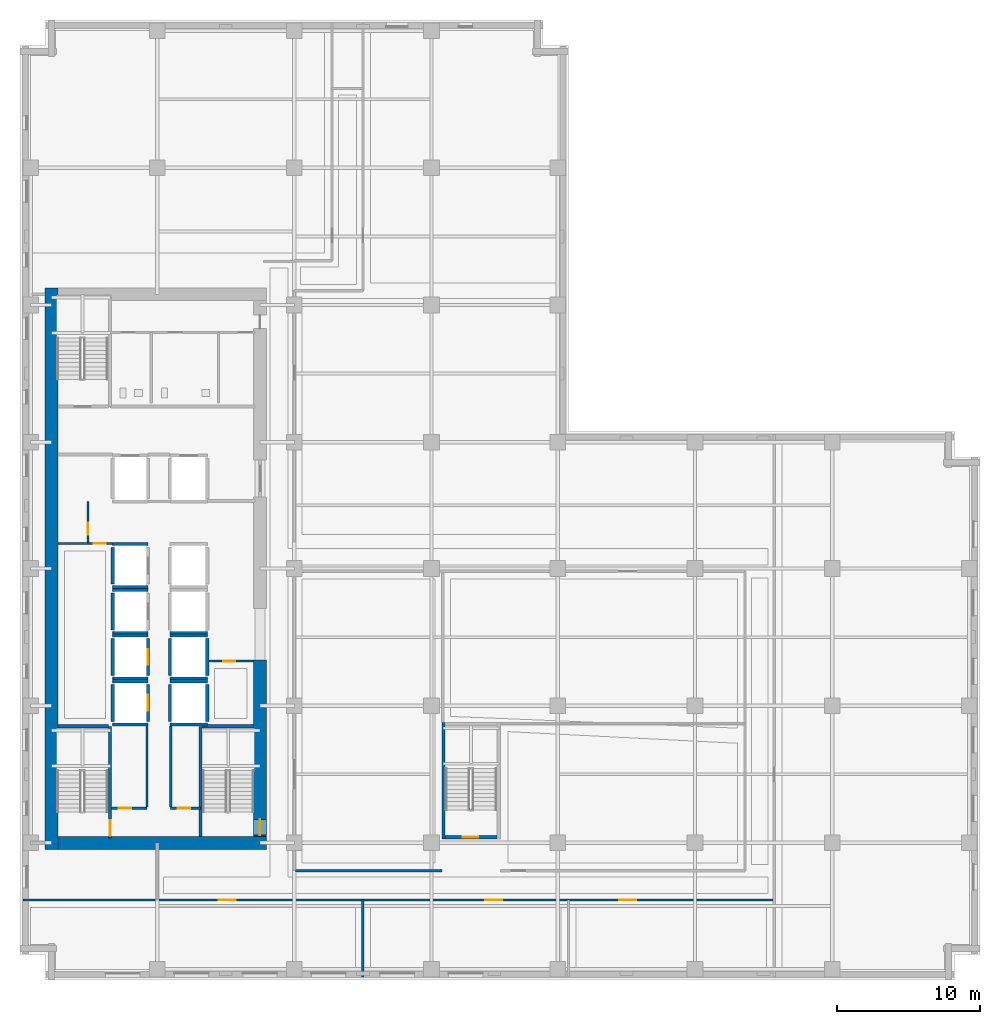
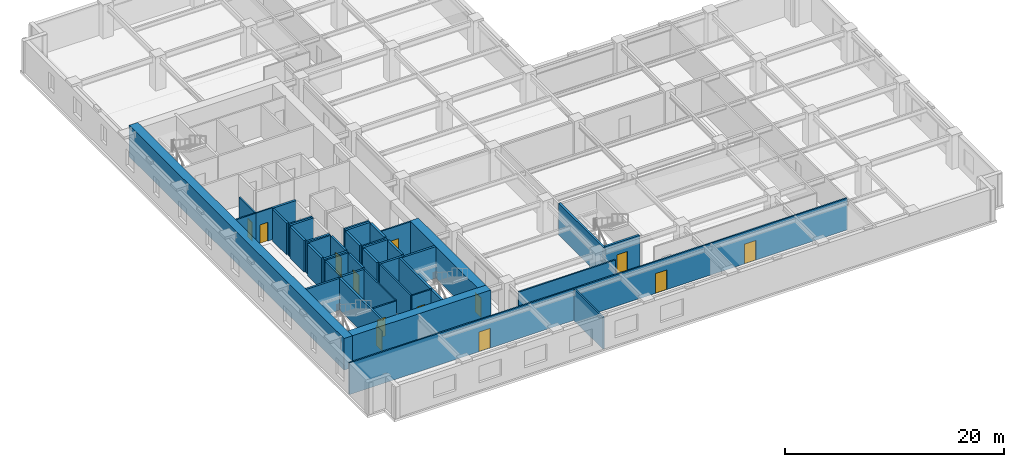
# One storey, part 4 of 13: 43 walls, 13 doors, 13 openings.
"""IFC4 building model written with IfcOpenShell, lengths in metres."""

from ifc_helpers import new_model, si_unit, direction, frame, frame_2d, origin, place, context, subcontext, project, spatial, rectangle, extrude, material, layer, layer_set, type_object, element, fill, save


model = new_model("IFC4")

# Units and contexts
model_context = context("Model", 3, precision=1e-05, world=origin(), true_north=direction((0.0, 1.0)))
body_context = subcontext(model_context, "Body", "Model", "MODEL_VIEW")
ifc_project = project(units=[si_unit("LENGTHUNIT", "METRE"), si_unit("AREAUNIT", "SQUARE_METRE"), si_unit("VOLUMEUNIT", "CUBIC_METRE"), si_unit("PLANEANGLEUNIT", "RADIAN"), si_unit("MASSUNIT", "GRAM", prefix="KILO")], contexts=[model_context])

# Site, building, storey
site_placement = place(None, origin())
site = spatial("IfcSite", under=ifc_project, at=site_placement, CompositionType="ELEMENT")
building_placement = place(site_placement, origin())
building = spatial("IfcBuilding", under=site, at=building_placement, Name="Norrvale University Quadrangle", CompositionType="ELEMENT")
storey_placement = place(building_placement, frame((0.0, 0.0, 66.0)))
storey = spatial("IfcBuildingStorey", under=building, at=storey_placement, Name="L16", CompositionType="ELEMENT", Elevation=66.0)

# Walls
ifc_material_1 = material(Name="Concrete C80/95", Category="concrete")
ifc_layer_1 = layer(ifc_material_1, 0.89990234375, Name="Concrete C80/95")
ifc_layer_set_1 = layer_set([ifc_layer_1], Name="Concrete C80/95")
wall_type_1 = type_object("IfcWallType", Name="Wall Core 900", PredefinedType="SHEAR", material=ifc_layer_set_1)
wall_1_placement = place(storey_placement, frame((2.64990234375, 9.60009765625, 0.0), z_axis=(0.0, 0.0, 1.0), x_axis=(1.0, 0.0, 0.0)))
element("IfcWall", 1, at=wall_1_placement, inside=storey, type_object=wall_type_1, Name="Tower Core Shear Wall L16-S", PredefinedType="SHEAR", context=body_context, shape_type="SweptSolid", body=[
    extrude(rectangle(XDim=14.60009765625, YDim=0.89990234375, at=frame_2d((7.300048828125, 0.0))), origin(), (0.0, 0.0, 1.0), 3.5400390625),
])
wall_2_placement = place(storey_placement, frame((2.199951171875, 9.14990234375, 0.0), z_axis=(0.0, 0.0, 1.0), x_axis=(0.0, 1.0, 0.0)))
element("IfcWall", 2, at=wall_2_placement, inside=storey, type_object=wall_type_1, Name="Tower Core Shear Wall L16-W", PredefinedType="SHEAR", context=body_context, shape_type="SweptSolid", body=[
    extrude(rectangle(XDim=39.300048828125, YDim=0.89990234375, at=frame_2d((19.64990234375, 0.0))), origin(), (0.0, 0.0, 1.0), 3.5400390625),
])

# Wall, opening, door
wall_3_placement = place(storey_placement, frame((16.800048828125, 10.050048828125, 0.0), z_axis=(0.0, 0.0, 1.0), x_axis=(0.0, 1.0, 0.0)))
wall_3 = element("IfcWall", 3, at=wall_3_placement, inside=storey, type_object=wall_type_1, Name="Tower Core Shear Wall L16-E1", PredefinedType="SHEAR", context=body_context, shape_type="SweptSolid", body=[
    extrude(rectangle(XDim=12.349853515625, YDim=0.89990234375, at=frame_2d((6.1748046875, 0.0))), origin(), (0.0, 0.0, 1.0), 3.5400390625),
])
opening_1_placement = place(wall_3_placement, frame((0.090087890625, 0.0, 0.0)))
opening_1 = element("IfcOpeningElement", 4, at=opening_1_placement, cuts=wall_3, Name="Opening D02", PredefinedType="OPENING", context=body_context, shape_type="SweptSolid", body=[
    extrude(rectangle(XDim=1.10009765625, YDim=2.199951171875, at=frame_2d((0.550048828125, 1.10009765625))), frame((0.0, 0.4619140625, 0.0), z_axis=(0.0, -1.0, 0.0), x_axis=(1.0, 0.0, 0.0)), (0.0, 0.0, 1.0), 0.923828125),
])
ifc_material_2 = material(Name="Hollow Steel 350W Fire Door", Category="steel")
door_type_1 = type_object("IfcDoorType", Name="Door Stair Exit 1100x2200", OperationType="NOTDEFINED", PredefinedType="DOOR", material=ifc_material_2)
door_1_placement = place(opening_1_placement, origin())
door_1 = element("IfcDoor", 5, at=door_1_placement, inside=storey, type_object=door_type_1, Name="Door Stair Exit 1100x2200 DR-L16-ST03", OperationType="SINGLE_SWING_LEFT", OverallHeight=2.199951171875, OverallWidth=1.10009765625, PredefinedType="DOOR", context=body_context, shape_type="SweptSolid", body=[
    extrude(rectangle(XDim=1.10009765625, YDim=2.199951171875, at=frame_2d((0.550048828125, 1.10009765625))), frame((0.0, 0.02490234375, 0.0), z_axis=(0.0, -1.0, 0.0), x_axis=(1.0, 0.0, 0.0)), (0.0, 0.0, 1.0), 0.050048828125),
])
fill(opening_1, door_1)

ifc_material_3 = material(Name="Fire-Rated Gypsum Stud Partition")
ifc_layer_2 = layer(ifc_material_3, 0.14990234375, Name="Fire-Rated Gypsum Stud Partition")
ifc_layer_set_2 = layer_set([ifc_layer_2], Name="Fire-Rated Gypsum Stud Partition")
wall_type_2 = type_object("IfcWallType", Name="Wall Gypsum Corridor 150", PredefinedType="PARTITIONING", material=ifc_layer_set_2)
wall_4_placement = place(storey_placement, frame((6.419921875, 12.02001953125, 0.0), z_axis=(0.0, 0.0, 1.0), x_axis=(1.0, 0.0, 0.0)))
wall_4 = element("IfcWall", 6, at=wall_4_placement, inside=storey, type_object=wall_type_2, Name="Interior Partition WL-L16-SC-NL", PredefinedType="PARTITIONING", context=body_context, shape_type="SweptSolid", body=[
    extrude(rectangle(XDim=2.47998046875, YDim=0.14990234375, at=frame_2d((1.239990234375, 0.0))), origin(), (0.0, 0.0, 1.0), 3.5400390625),
])
opening_2_placement = place(wall_4_placement, frame((0.5, 0.0, 0.0)))
opening_2 = element("IfcOpeningElement", 7, at=opening_2_placement, cuts=wall_4, Name="Opening D10", PredefinedType="OPENING", context=body_context, shape_type="SweptSolid", body=[
    extrude(rectangle(XDim=0.85009765625, YDim=2.10009765625, at=frame_2d((0.425048828125, 1.050048828125))), frame((0.0, 0.0869140625, 0.0), z_axis=(0.0, -1.0, 0.0), x_axis=(1.0, 0.0, 0.0)), (0.0, 0.0, 1.0), 0.173828125),
])
ifc_material_4 = material(Name="Hollow Steel 350W Riser Fire Door", Category="steel")
door_type_2 = type_object("IfcDoorType", Name="Door Riser 850x2100", OperationType="NOTDEFINED", PredefinedType="DOOR", material=ifc_material_4)
door_2_placement = place(opening_2_placement, origin())
door_2 = element("IfcDoor", 8, at=door_2_placement, inside=storey, type_object=door_type_2, Name="Door Riser 850x2100 DR-L16-ELEC", OperationType="SINGLE_SWING_LEFT", OverallHeight=2.10009765625, OverallWidth=0.85009765625, PredefinedType="DOOR", context=body_context, shape_type="SweptSolid", body=[
    extrude(rectangle(XDim=0.85009765625, YDim=2.10009765625, at=frame_2d((0.425048828125, 1.050048828125))), frame((0.0, 0.02490234375, 0.0), z_axis=(0.0, -1.0, 0.0), x_axis=(1.0, 0.0, 0.0)), (0.0, 0.0, 1.0), 0.050048828125),
])
fill(opening_2, door_2)

wall_5_placement = place(storey_placement, frame((10.550048828125, 12.02001953125, 0.0), z_axis=(0.0, 0.0, 1.0), x_axis=(1.0, 0.0, 0.0)))
wall_5 = element("IfcWall", 9, at=wall_5_placement, inside=storey, type_object=wall_type_2, Name="Interior Partition WL-L16-SC-NR", PredefinedType="PARTITIONING", context=body_context, shape_type="SweptSolid", body=[
    extrude(rectangle(XDim=2.079833984375, YDim=0.14990234375, at=frame_2d((1.0400390625, 0.0))), origin(), (0.0, 0.0, 1.0), 3.5400390625),
])
opening_3_placement = place(wall_5_placement, frame((0.5, 0.0, 0.0)))
opening_3 = element("IfcOpeningElement", 10, at=opening_3_placement, cuts=wall_5, Name="Opening D10", PredefinedType="OPENING", context=body_context, shape_type="SweptSolid", body=[
    extrude(rectangle(XDim=0.85009765625, YDim=2.10009765625, at=frame_2d((0.425048828125, 1.050048828125))), frame((0.0, 0.0869140625, 0.0), z_axis=(0.0, -1.0, 0.0), x_axis=(1.0, 0.0, 0.0)), (0.0, 0.0, 1.0), 0.173828125),
])
door_3_placement = place(opening_3_placement, origin())
door_3 = element("IfcDoor", 11, at=door_3_placement, inside=storey, type_object=door_type_2, Name="Door Riser 850x2100 DR-L16-IDF", OperationType="SINGLE_SWING_RIGHT", OverallHeight=2.10009765625, OverallWidth=0.85009765625, PredefinedType="DOOR", context=body_context, shape_type="SweptSolid", body=[
    extrude(rectangle(XDim=0.85009765625, YDim=2.10009765625, at=frame_2d((0.425048828125, 1.050048828125))), frame((0.0, 0.02490234375, 0.0), z_axis=(0.0, -1.0, 0.0), x_axis=(1.0, 0.0, 0.0)), (0.0, 0.0, 1.0), 0.050048828125),
])
fill(opening_3, door_3)

# Walls
for number, where, z_axis, x_axis, name in (
    (12, (8.89990234375, 12.094970703125, 0.0), (0.0, 0.0, 1.0), (0.0, 1.0, 0.0), "Interior Partition WL-L16-SC-WL"),
    (13, (10.550048828125, 12.094970703125, 0.0), (0.0, 0.0, 1.0), (0.0, 1.0, 0.0), "Interior Partition WL-L16-SC-WR"),
):
    element("IfcWall", number, at=place(storey_placement, frame(where, z_axis=z_axis, x_axis=x_axis)), inside=storey, type_object=wall_type_2, Name=name, PredefinedType="PARTITIONING", context=body_context, shape_type="SweptSolid", body=[
        extrude(rectangle(XDim=5.679931640625, YDim=0.14990234375, at=frame_2d((2.83984375, 0.0))), origin(), (0.0, 0.0, 1.0), 3.5400390625),
    ])

# Wall, opening, door
wall_6_placement = place(storey_placement, frame((13.22509765625, 22.320068359375, 0.0), z_axis=(0.0, 0.0, 1.0), x_axis=(1.0, 0.0, 0.0)))
wall_6 = element("IfcWall", 14, at=wall_6_placement, inside=storey, type_object=wall_type_2, Name="Interior Partition WL-L16-JAN-N", PredefinedType="PARTITIONING", context=body_context, shape_type="SweptSolid", body=[
    extrude(rectangle(XDim=3.119873046875, YDim=0.14990234375, at=frame_2d((1.56005859375, 0.0))), origin(), (0.0, 0.0, 1.0), 3.5400390625),
])
opening_4_placement = place(wall_6_placement, frame((1.0, 0.0, 0.0)))
opening_4 = element("IfcOpeningElement", 15, at=opening_4_placement, cuts=wall_6, Name="Opening D10", PredefinedType="OPENING", context=body_context, shape_type="SweptSolid", body=[
    extrude(rectangle(XDim=0.85009765625, YDim=2.10009765625, at=frame_2d((0.425048828125, 1.050048828125))), frame((0.0, 0.0869140625, 0.0), z_axis=(0.0, -1.0, 0.0), x_axis=(1.0, 0.0, 0.0)), (0.0, 0.0, 1.0), 0.173828125),
])
door_4_placement = place(opening_4_placement, origin())
door_4 = element("IfcDoor", 16, at=door_4_placement, inside=storey, type_object=door_type_2, Name="Door Riser 850x2100 DR-L16-JAN", OperationType="SINGLE_SWING_LEFT", OverallHeight=2.10009765625, OverallWidth=0.85009765625, PredefinedType="DOOR", context=body_context, shape_type="SweptSolid", body=[
    extrude(rectangle(XDim=0.85009765625, YDim=2.10009765625, at=frame_2d((0.425048828125, 1.050048828125))), frame((0.0, 0.02490234375, 0.0), z_axis=(0.0, -1.0, 0.0), x_axis=(1.0, 0.0, 0.0)), (0.0, 0.0, 1.0), 0.050048828125),
])
fill(opening_4, door_4)

wall_7_placement = place(storey_placement, frame((4.760009765625, 30.550048828125, 0.0), z_axis=(0.0, 0.0, 1.0), x_axis=(0.0, 1.0, 0.0)))
wall_7 = element("IfcWall", 17, at=wall_7_placement, inside=storey, type_object=wall_type_2, Name="Interior Partition WL-L16-WME-E", PredefinedType="PARTITIONING", context=body_context, shape_type="SweptSolid", body=[
    extrude(rectangle(XDim=2.929931640625, YDim=0.14990234375, at=frame_2d((1.46484375, 0.0))), origin(), (0.0, 0.0, 1.0), 3.5400390625),
])
opening_5_placement = place(wall_7_placement, frame((0.60009765625, 0.0, 0.0)))
opening_5 = element("IfcOpeningElement", 18, at=opening_5_placement, cuts=wall_7, Name="Opening D10", PredefinedType="OPENING", context=body_context, shape_type="SweptSolid", body=[
    extrude(rectangle(XDim=0.85009765625, YDim=2.10009765625, at=frame_2d((0.425048828125, 1.050048828125))), frame((0.0, 0.0869140625, 0.0), z_axis=(0.0, -1.0, 0.0), x_axis=(1.0, 0.0, 0.0)), (0.0, 0.0, 1.0), 0.173828125),
])
door_5_placement = place(opening_5_placement, origin())
door_5 = element("IfcDoor", 19, at=door_5_placement, inside=storey, type_object=door_type_2, Name="Door Riser 850x2100 DR-L16-WME", OperationType="SINGLE_SWING_LEFT", OverallHeight=2.10009765625, OverallWidth=0.85009765625, PredefinedType="DOOR", context=body_context, shape_type="SweptSolid", body=[
    extrude(rectangle(XDim=0.85009765625, YDim=2.10009765625, at=frame_2d((0.425048828125, 1.050048828125))), frame((0.0, 0.02490234375, 0.0), z_axis=(0.0, -1.0, 0.0), x_axis=(1.0, 0.0, 0.0)), (0.0, 0.0, 1.0), 0.050048828125),
])
fill(opening_5, door_5)

wall_8_placement = place(storey_placement, frame((4.760009765625, 30.550048828125, 0.0), z_axis=(0.0, 0.0, 1.0), x_axis=(1.0, 0.0, 0.0)))
wall_8 = element("IfcWall", 20, at=wall_8_placement, inside=storey, type_object=wall_type_2, Name="Interior Partition WL-L16-WST-N", PredefinedType="PARTITIONING", context=body_context, shape_type="SweptSolid", body=[
    extrude(rectangle(XDim=1.760009765625, YDim=0.14990234375, at=frame_2d((0.8798828125, 0.0))), origin(), (0.0, 0.0, 1.0), 3.5400390625),
])
opening_6_placement = place(wall_8_placement, frame((0.39990234375, 0.0, 0.0)))
opening_6 = element("IfcOpeningElement", 21, at=opening_6_placement, cuts=wall_8, Name="Opening D10", PredefinedType="OPENING", context=body_context, shape_type="SweptSolid", body=[
    extrude(rectangle(XDim=0.85009765625, YDim=2.10009765625, at=frame_2d((0.425048828125, 1.050048828125))), frame((0.0, 0.0869140625, 0.0), z_axis=(0.0, -1.0, 0.0), x_axis=(1.0, 0.0, 0.0)), (0.0, 0.0, 1.0), 0.173828125),
])
door_6_placement = place(opening_6_placement, origin())
door_6 = element("IfcDoor", 22, at=door_6_placement, inside=storey, type_object=door_type_2, Name="Door Riser 850x2100 DR-L16-WST", OperationType="SINGLE_SWING_RIGHT", OverallHeight=2.10009765625, OverallWidth=0.85009765625, PredefinedType="DOOR", context=body_context, shape_type="SweptSolid", body=[
    extrude(rectangle(XDim=0.85009765625, YDim=2.10009765625, at=frame_2d((0.425048828125, 1.050048828125))), frame((0.0, 0.02490234375, 0.0), z_axis=(0.0, -1.0, 0.0), x_axis=(1.0, 0.0, 0.0)), (0.0, 0.0, 1.0), 0.050048828125),
])
fill(opening_6, door_6)

# Wall
wall_9_placement = place(storey_placement, frame((2.64990234375, 30.550048828125, 0.0), z_axis=(0.0, 0.0, 1.0), x_axis=(1.0, 0.0, 0.0)))
element("IfcWall", 23, at=wall_9_placement, inside=storey, type_object=wall_type_2, Name="Interior Partition WL-L16-WST-N2", PredefinedType="PARTITIONING", context=body_context, shape_type="SweptSolid", body=[
    extrude(rectangle(XDim=2.110107421875, YDim=0.14990234375, at=frame_2d((1.05517578125, 0.0))), origin(), (0.0, 0.0, 1.0), 3.5400390625),
])

# Wall, openings, doors
wall_10_placement = place(storey_placement, frame((0.219970703125, 5.60009765625, 0.0), z_axis=(0.0, 0.0, 1.0), x_axis=(1.0, 0.0, 0.0)))
wall_10 = element("IfcWall", 24, at=wall_10_placement, inside=storey, type_object=wall_type_2, Name="Interior Partition WL-L16-SCW", PredefinedType="PARTITIONING", context=body_context, shape_type="SweptSolid", body=[
    extrude(rectangle(XDim=52.580078125, YDim=0.14990234375, at=frame_2d((26.2900390625, 0.0))), origin(), (0.0, 0.0, 1.0), 3.5400390625),
])
opening_7_placement = place(wall_10_placement, frame((13.679931640625, 0.0, 0.0)))
opening_7 = element("IfcOpeningElement", 25, at=opening_7_placement, cuts=wall_10, Name="Opening D05", PredefinedType="OPENING", context=body_context, shape_type="SweptSolid", body=[
    extrude(rectangle(XDim=1.199951171875, YDim=2.199951171875, at=frame_2d((0.60009765625, 1.10009765625))), frame((0.0, 0.0869140625, 0.0), z_axis=(0.0, -1.0, 0.0), x_axis=(1.0, 0.0, 0.0)), (0.0, 0.0, 1.0), 0.173828125),
])
opening_8_placement = place(wall_10_placement, frame((32.330078125, 0.0, 0.0)))
opening_8 = element("IfcOpeningElement", 26, at=opening_8_placement, cuts=wall_10, Name="Opening D05", PredefinedType="OPENING", context=body_context, shape_type="SweptSolid", body=[
    extrude(rectangle(XDim=1.199951171875, YDim=2.199951171875, at=frame_2d((0.60009765625, 1.10009765625))), frame((0.0, 0.0869140625, 0.0), z_axis=(0.0, -1.0, 0.0), x_axis=(1.0, 0.0, 0.0)), (0.0, 0.0, 1.0), 0.173828125),
])
opening_9_placement = place(wall_10_placement, frame((41.72998046875, 0.0, 0.0)))
opening_9 = element("IfcOpeningElement", 27, at=opening_9_placement, cuts=wall_10, Name="Opening D05", PredefinedType="OPENING", context=body_context, shape_type="SweptSolid", body=[
    extrude(rectangle(XDim=1.199951171875, YDim=2.199951171875, at=frame_2d((0.60009765625, 1.10009765625))), frame((0.0, 0.0869140625, 0.0), z_axis=(0.0, -1.0, 0.0), x_axis=(1.0, 0.0, 0.0)), (0.0, 0.0, 1.0), 0.173828125),
])
ifc_material_5 = material(Name="Acoustic Oak Classroom Door", Category="wood")
door_type_3 = type_object("IfcDoorType", Name="Door Classroom 1200x2200", OperationType="NOTDEFINED", PredefinedType="DOOR", material=ifc_material_5)
door_7_placement = place(opening_7_placement, origin())
door_7 = element("IfcDoor", 28, at=door_7_placement, inside=storey, type_object=door_type_3, Name="Door Classroom 1200x2200 DR-L16-S01", OperationType="SINGLE_SWING_LEFT", OverallHeight=2.199951171875, OverallWidth=1.199951171875, PredefinedType="DOOR", context=body_context, shape_type="SweptSolid", body=[
    extrude(rectangle(XDim=1.199951171875, YDim=2.199951171875, at=frame_2d((0.60009765625, 1.10009765625))), frame((0.0, 0.02490234375, 0.0), z_axis=(0.0, -1.0, 0.0), x_axis=(1.0, 0.0, 0.0)), (0.0, 0.0, 1.0), 0.050048828125),
])
fill(opening_7, door_7)
door_8_placement = place(opening_8_placement, origin())
door_8 = element("IfcDoor", 29, at=door_8_placement, inside=storey, type_object=door_type_3, Name="Door Classroom 1200x2200 DR-L16-S02", OperationType="SINGLE_SWING_RIGHT", OverallHeight=2.199951171875, OverallWidth=1.199951171875, PredefinedType="DOOR", context=body_context, shape_type="SweptSolid", body=[
    extrude(rectangle(XDim=1.199951171875, YDim=2.199951171875, at=frame_2d((0.60009765625, 1.10009765625))), frame((0.0, 0.02490234375, 0.0), z_axis=(0.0, -1.0, 0.0), x_axis=(1.0, 0.0, 0.0)), (0.0, 0.0, 1.0), 0.050048828125),
])
fill(opening_8, door_8)
door_9_placement = place(opening_9_placement, origin())
door_9 = element("IfcDoor", 30, at=door_9_placement, inside=storey, type_object=door_type_3, Name="Door Classroom 1200x2200 DR-L16-S03", OperationType="SINGLE_SWING_LEFT", OverallHeight=2.199951171875, OverallWidth=1.199951171875, PredefinedType="DOOR", context=body_context, shape_type="SweptSolid", body=[
    extrude(rectangle(XDim=1.199951171875, YDim=2.199951171875, at=frame_2d((0.60009765625, 1.10009765625))), frame((0.0, 0.02490234375, 0.0), z_axis=(0.0, -1.0, 0.0), x_axis=(1.0, 0.0, 0.0)), (0.0, 0.0, 1.0), 0.050048828125),
])
fill(opening_9, door_9)

# Walls
wall_11_placement = place(storey_placement, frame((19.280029296875, 7.64990234375, 0.0), z_axis=(0.0, 0.0, 1.0), x_axis=(1.0, 0.0, 0.0)))
element("IfcWall", 31, at=wall_11_placement, inside=storey, type_object=wall_type_2, Name="Interior Partition WL-L16-ISLS1", PredefinedType="PARTITIONING", context=body_context, shape_type="SweptSolid", body=[
    extrude(rectangle(XDim=10.244873046875, YDim=0.14990234375, at=frame_2d((5.12255859375, 0.0))), origin(), (0.0, 0.0, 1.0), 3.5400390625),
])
ifc_material_6 = material(Name="Sanitary Chase Gypsum Partition")
ifc_layer_3 = layer(ifc_material_6, 0.1650390625, Name="Sanitary Chase Gypsum Partition")
ifc_layer_set_3 = layer_set([ifc_layer_3], Name="Sanitary Chase Gypsum Partition")
wall_type_3 = type_object("IfcWallType", Name="Wall Gypsum Sanitary 165", PredefinedType="PLUMBINGWALL", material=ifc_layer_set_3)
wall_12_placement = place(storey_placement, frame((24.0, 0.219970703125, 0.0), z_axis=(0.0, 0.0, 1.0), x_axis=(0.0, 1.0, 0.0)))
element("IfcWall", 32, at=wall_12_placement, inside=storey, type_object=wall_type_3, Name="Interior Partition WL-L16-SP01", PredefinedType="PLUMBINGWALL", context=body_context, shape_type="SweptSolid", body=[
    extrude(rectangle(XDim=5.380126953125, YDim=0.1650390625, at=frame_2d((2.68994140625, 0.0))), origin(), (0.0, 0.0, 1.0), 3.5400390625),
])

# Wall, opening, door
ifc_material_7 = material(Name="Concrete Blockwork 20 MPa Fire Shaft", Category="masonry")
ifc_layer_4 = layer(ifc_material_7, 0.219970703125, Name="Concrete Blockwork 20 MPa Fire Shaft")
ifc_layer_set_4 = layer_set([ifc_layer_4], Name="Concrete Blockwork 20 MPa Fire Shaft")
wall_type_4 = type_object("IfcWallType", Name="Wall Shaft 220", PredefinedType="SOLIDWALL", material=ifc_layer_set_4)
wall_13_placement = place(storey_placement, frame((6.31005859375, 9.949951171875, 0.0), z_axis=(0.0, 0.0, 1.0), x_axis=(0.0, 1.0, 0.0)))
wall_13 = element("IfcWall", 33, at=wall_13_placement, inside=storey, type_object=wall_type_4, Name="Stair ST-01 East Shaft Wall L16", PredefinedType="SOLIDWALL", context=body_context, shape_type="SweptSolid", body=[
    extrude(rectangle(XDim=7.81005859375, YDim=0.219970703125, at=frame_2d((3.905029296875, 0.0))), origin(), (0.0, 0.0, 1.0), 3.5400390625),
])
opening_10_placement = place(wall_13_placement, frame((0.139892578125, 0.0, 0.0)))
opening_10 = element("IfcOpeningElement", 34, at=opening_10_placement, cuts=wall_13, Name="Opening D02", PredefinedType="OPENING", context=body_context, shape_type="SweptSolid", body=[
    extrude(rectangle(XDim=1.10009765625, YDim=2.199951171875, at=frame_2d((0.550048828125, 1.10009765625))), frame((0.0, 0.1220703125, 0.0), z_axis=(0.0, -1.0, 0.0), x_axis=(1.0, 0.0, 0.0)), (0.0, 0.0, 1.0), 0.243896484375),
])
door_10_placement = place(opening_10_placement, origin())
door_10 = element("IfcDoor", 35, at=door_10_placement, inside=storey, type_object=door_type_1, Name="Door Stair Exit 1100x2200 DR-L16-ST01", OperationType="SINGLE_SWING_LEFT", OverallHeight=2.199951171875, OverallWidth=1.10009765625, PredefinedType="DOOR", context=body_context, shape_type="SweptSolid", body=[
    extrude(rectangle(XDim=1.10009765625, YDim=2.199951171875, at=frame_2d((0.550048828125, 1.10009765625))), frame((0.0, 0.02490234375, 0.0), z_axis=(0.0, -1.0, 0.0), x_axis=(1.0, 0.0, 0.0)), (0.0, 0.0, 1.0), 0.050048828125),
])
fill(opening_10, door_10)

# Walls
wall_14_placement = place(storey_placement, frame((2.64990234375, 17.760009765625, 0.0), z_axis=(0.0, 0.0, 1.0), x_axis=(1.0, 0.0, 0.0)))
element("IfcWall", 36, at=wall_14_placement, inside=storey, type_object=wall_type_4, Name="Stair ST-01 North Shaft Wall L16", PredefinedType="SOLIDWALL", context=body_context, shape_type="SweptSolid", body=[
    extrude(rectangle(XDim=3.550048828125, YDim=0.219970703125, at=frame_2d((1.77490234375, 0.0))), origin(), (0.0, 0.0, 1.0), 3.5400390625),
])
wall_15_placement = place(storey_placement, frame((12.639892578125, 10.050048828125, 0.0), z_axis=(0.0, 0.0, 1.0), x_axis=(0.0, 1.0, 0.0)))
element("IfcWall", 37, at=wall_15_placement, inside=storey, type_object=wall_type_4, Name="Stair ST-03 West Shaft Wall L16", PredefinedType="SOLIDWALL", context=body_context, shape_type="SweptSolid", body=[
    extrude(rectangle(XDim=7.7099609375, YDim=0.219970703125, at=frame_2d((3.85498046875, 0.0))), origin(), (0.0, 0.0, 1.0), 3.5400390625),
])
wall_16_placement = place(storey_placement, frame((12.75, 17.760009765625, 0.0), z_axis=(0.0, 0.0, 1.0), x_axis=(1.0, 0.0, 0.0)))
element("IfcWall", 38, at=wall_16_placement, inside=storey, type_object=wall_type_4, Name="Stair ST-03 North Shaft Wall L16", PredefinedType="SOLIDWALL", context=body_context, shape_type="SweptSolid", body=[
    extrude(rectangle(XDim=3.60009765625, YDim=0.219970703125, at=frame_2d((1.800048828125, 0.0))), origin(), (0.0, 0.0, 1.0), 3.5400390625),
])

# Wall, opening, door
wall_17_placement = place(storey_placement, frame((29.75, 9.989990234375, 0.0), z_axis=(0.0, 0.0, 1.0), x_axis=(1.0, 0.0, 0.0)))
wall_17 = element("IfcWall", 39, at=wall_17_placement, inside=storey, type_object=wall_type_4, Name="Stair ST-04 South Shaft Wall L16", PredefinedType="SOLIDWALL", context=body_context, shape_type="SweptSolid", body=[
    extrude(rectangle(XDim=3.64990234375, YDim=0.219970703125, at=frame_2d((1.824951171875, 0.0))), origin(), (0.0, 0.0, 1.0), 3.5400390625),
])
opening_11_placement = place(wall_17_placement, frame((1.239990234375, 0.0, 0.0)))
opening_11 = element("IfcOpeningElement", 40, at=opening_11_placement, cuts=wall_17, Name="Opening D02", PredefinedType="OPENING", context=body_context, shape_type="SweptSolid", body=[
    extrude(rectangle(XDim=1.10009765625, YDim=2.199951171875, at=frame_2d((0.550048828125, 1.10009765625))), frame((0.0, 0.1220703125, 0.0), z_axis=(0.0, -1.0, 0.0), x_axis=(1.0, 0.0, 0.0)), (0.0, 0.0, 1.0), 0.243896484375),
])
door_11_placement = place(opening_11_placement, origin())
door_11 = element("IfcDoor", 41, at=door_11_placement, inside=storey, type_object=door_type_1, Name="Door Stair Exit 1100x2200 DR-L16-ST04", OperationType="SINGLE_SWING_LEFT", OverallHeight=2.199951171875, OverallWidth=1.10009765625, PredefinedType="DOOR", context=body_context, shape_type="SweptSolid", body=[
    extrude(rectangle(XDim=1.10009765625, YDim=2.199951171875, at=frame_2d((0.550048828125, 1.10009765625))), frame((0.0, 0.02490234375, 0.0), z_axis=(0.0, -1.0, 0.0), x_axis=(1.0, 0.0, 0.0)), (0.0, 0.0, 1.0), 0.050048828125),
])
fill(opening_11, door_11)

# Walls
wall_18_placement = place(storey_placement, frame((29.639892578125, 9.8798828125, 0.0), z_axis=(0.0, 0.0, 1.0), x_axis=(0.0, 1.0, 0.0)))
element("IfcWall", 42, at=wall_18_placement, inside=storey, type_object=wall_type_4, Name="Stair ST-04 West Shaft Wall L16", PredefinedType="SOLIDWALL", context=body_context, shape_type="SweptSolid", body=[
    extrude(rectangle(XDim=8.14013671875, YDim=0.219970703125, at=frame_2d((4.070068359375, 0.0))), origin(), (0.0, 0.0, 1.0), 3.5400390625),
])
wall_19_placement = place(storey_placement, frame((6.489990234375, 18.110107421875, 0.0), z_axis=(0.0, 0.0, 1.0), x_axis=(0.0, 1.0, 0.0)))
element("IfcWall", 43, at=wall_19_placement, inside=storey, type_object=wall_type_4, Name="Hoistway PL-01 West Wall L16", PredefinedType="SOLIDWALL", context=body_context, shape_type="SweptSolid", body=[
    extrude(rectangle(XDim=2.579833984375, YDim=0.219970703125, at=frame_2d((1.2900390625, 0.0))), origin(), (0.0, 0.0, 1.0), 3.5400390625),
])

# Wall, opening, door
wall_20_placement = place(storey_placement, frame((8.9599609375, 18.110107421875, 0.0), z_axis=(0.0, 0.0, 1.0), x_axis=(0.0, 1.0, 0.0)))
wall_20 = element("IfcWall", 44, at=wall_20_placement, inside=storey, type_object=wall_type_4, Name="Hoistway PL-01 East Wall L16", PredefinedType="SOLIDWALL", context=body_context, shape_type="SweptSolid", body=[
    extrude(rectangle(XDim=2.579833984375, YDim=0.219970703125, at=frame_2d((1.2900390625, 0.0))), origin(), (0.0, 0.0, 1.0), 3.5400390625),
])
opening_12_placement = place(wall_20_placement, frame((0.739990234375, 0.0, 0.0)))
opening_12 = element("IfcOpeningElement", 45, at=opening_12_placement, cuts=wall_20, Name="Opening LD1", PredefinedType="OPENING", context=body_context, shape_type="SweptSolid", body=[
    extrude(rectangle(XDim=1.10009765625, YDim=2.199951171875, at=frame_2d((0.550048828125, 1.10009765625))), frame((0.0, 0.1220703125, 0.0), z_axis=(0.0, -1.0, 0.0), x_axis=(1.0, 0.0, 0.0)), (0.0, 0.0, 1.0), 0.243896484375),
])
ifc_material_8 = material(Name="Stainless Steel 316L Lift Landing Door", Category="steel")
door_type_4 = type_object("IfcDoorType", Name="Door Lift Landing 1100x2200", OperationType="DOUBLE_DOOR_SLIDING", PredefinedType="DOOR", material=ifc_material_8)
door_12_placement = place(opening_12_placement, origin())
door_12 = element("IfcDoor", 46, at=door_12_placement, inside=storey, type_object=door_type_4, Name="Elevator Landing Door DR-L16-PL-01", OperationType="DOUBLE_DOOR_SLIDING", OverallHeight=2.199951171875, OverallWidth=1.10009765625, PredefinedType="DOOR", context=body_context, shape_type="SweptSolid", body=[
    extrude(rectangle(XDim=1.10009765625, YDim=2.199951171875, at=frame_2d((0.550048828125, 1.10009765625))), frame((0.0, 0.02490234375, 0.0), z_axis=(0.0, -1.0, 0.0), x_axis=(1.0, 0.0, 0.0)), (0.0, 0.0, 1.0), 0.050048828125),
])
fill(opening_12, door_12)

# Walls
for number, where, z_axis, x_axis, name in (
    (47, (6.489990234375, 17.889892578125, 0.0), (0.0, 0.0, 1.0), (1.0, 0.0, 0.0), "Hoistway PL-01 South Wall L16"),
    (48, (6.489990234375, 20.909912109375, 0.0), (0.0, 0.0, 1.0), (1.0, 0.0, 0.0), "Hoistway PL-01 North Wall L16"),
):
    element("IfcWall", number, at=place(storey_placement, frame(where, z_axis=z_axis, x_axis=x_axis)), inside=storey, type_object=wall_type_4, Name=name, PredefinedType="SOLIDWALL", context=body_context, shape_type="SweptSolid", body=[
        extrude(rectangle(XDim=2.469970703125, YDim=0.219970703125, at=frame_2d((1.23486328125, 0.0))), origin(), (0.0, 0.0, 1.0), 3.5400390625),
    ])
wall_21_placement = place(storey_placement, frame((6.489990234375, 21.31005859375, 0.0), z_axis=(0.0, 0.0, 1.0), x_axis=(0.0, 1.0, 0.0)))
element("IfcWall", 49, at=wall_21_placement, inside=storey, type_object=wall_type_4, Name="Hoistway PL-02 West Wall L16", PredefinedType="SOLIDWALL", context=body_context, shape_type="SweptSolid", body=[
    extrude(rectangle(XDim=2.579833984375, YDim=0.219970703125, at=frame_2d((1.2900390625, 0.0))), origin(), (0.0, 0.0, 1.0), 3.5400390625),
])

# Wall, opening, door
wall_22_placement = place(storey_placement, frame((8.9599609375, 21.31005859375, 0.0), z_axis=(0.0, 0.0, 1.0), x_axis=(0.0, 1.0, 0.0)))
wall_22 = element("IfcWall", 50, at=wall_22_placement, inside=storey, type_object=wall_type_4, Name="Hoistway PL-02 East Wall L16", PredefinedType="SOLIDWALL", context=body_context, shape_type="SweptSolid", body=[
    extrude(rectangle(XDim=2.579833984375, YDim=0.219970703125, at=frame_2d((1.2900390625, 0.0))), origin(), (0.0, 0.0, 1.0), 3.5400390625),
])
opening_13_placement = place(wall_22_placement, frame((0.739990234375, 0.0, 0.0)))
opening_13 = element("IfcOpeningElement", 51, at=opening_13_placement, cuts=wall_22, Name="Opening LD1", PredefinedType="OPENING", context=body_context, shape_type="SweptSolid", body=[
    extrude(rectangle(XDim=1.10009765625, YDim=2.199951171875, at=frame_2d((0.550048828125, 1.10009765625))), frame((0.0, 0.1220703125, 0.0), z_axis=(0.0, -1.0, 0.0), x_axis=(1.0, 0.0, 0.0)), (0.0, 0.0, 1.0), 0.243896484375),
])
door_13_placement = place(opening_13_placement, origin())
door_13 = element("IfcDoor", 52, at=door_13_placement, inside=storey, type_object=door_type_4, Name="Elevator Landing Door DR-L16-PL-02", OperationType="DOUBLE_DOOR_SLIDING", OverallHeight=2.199951171875, OverallWidth=1.10009765625, PredefinedType="DOOR", context=body_context, shape_type="SweptSolid", body=[
    extrude(rectangle(XDim=1.10009765625, YDim=2.199951171875, at=frame_2d((0.550048828125, 1.10009765625))), frame((0.0, 0.02490234375, 0.0), z_axis=(0.0, -1.0, 0.0), x_axis=(1.0, 0.0, 0.0)), (0.0, 0.0, 1.0), 0.050048828125),
])
fill(opening_13, door_13)

# Walls
for number, where, z_axis, x_axis, name in (
    (53, (6.489990234375, 21.090087890625, 0.0), (0.0, 0.0, 1.0), (1.0, 0.0, 0.0), "Hoistway PL-02 South Wall L16"),
    (54, (6.489990234375, 24.110107421875, 0.0), (0.0, 0.0, 1.0), (1.0, 0.0, 0.0), "Hoistway PL-02 North Wall L16"),
):
    element("IfcWall", number, at=place(storey_placement, frame(where, z_axis=z_axis, x_axis=x_axis)), inside=storey, type_object=wall_type_4, Name=name, PredefinedType="SOLIDWALL", context=body_context, shape_type="SweptSolid", body=[
        extrude(rectangle(XDim=2.469970703125, YDim=0.219970703125, at=frame_2d((1.23486328125, 0.0))), origin(), (0.0, 0.0, 1.0), 3.5400390625),
    ])
wall_23_placement = place(storey_placement, frame((6.489990234375, 24.510009765625, 0.0), z_axis=(0.0, 0.0, 1.0), x_axis=(0.0, 1.0, 0.0)))
element("IfcWall", 55, at=wall_23_placement, inside=storey, type_object=wall_type_4, Name="Hoistway PL-03 West Wall L16", PredefinedType="SOLIDWALL", context=body_context, shape_type="SweptSolid", body=[
    extrude(rectangle(XDim=2.580078125, YDim=0.219970703125, at=frame_2d((1.2900390625, 0.0))), origin(), (0.0, 0.0, 1.0), 3.5400390625),
])
for number, where, z_axis, x_axis, name in (
    (56, (6.489990234375, 24.2900390625, 0.0), (0.0, 0.0, 1.0), (1.0, 0.0, 0.0), "Hoistway PL-03 South Wall L16"),
    (57, (6.489990234375, 27.31005859375, 0.0), (0.0, 0.0, 1.0), (1.0, 0.0, 0.0), "Hoistway PL-03 North Wall L16"),
):
    element("IfcWall", number, at=place(storey_placement, frame(where, z_axis=z_axis, x_axis=x_axis)), inside=storey, type_object=wall_type_4, Name=name, PredefinedType="SOLIDWALL", context=body_context, shape_type="SweptSolid", body=[
        extrude(rectangle(XDim=2.469970703125, YDim=0.219970703125, at=frame_2d((1.23486328125, 0.0))), origin(), (0.0, 0.0, 1.0), 3.5400390625),
    ])
wall_24_placement = place(storey_placement, frame((6.489990234375, 27.7099609375, 0.0), z_axis=(0.0, 0.0, 1.0), x_axis=(0.0, 1.0, 0.0)))
element("IfcWall", 58, at=wall_24_placement, inside=storey, type_object=wall_type_4, Name="Hoistway PL-04 West Wall L16", PredefinedType="SOLIDWALL", context=body_context, shape_type="SweptSolid", body=[
    extrude(rectangle(XDim=2.580078125, YDim=0.219970703125, at=frame_2d((1.2900390625, 0.0))), origin(), (0.0, 0.0, 1.0), 3.5400390625),
])
for number, where, z_axis, x_axis, name in (
    (59, (6.489990234375, 27.489990234375, 0.0), (0.0, 0.0, 1.0), (1.0, 0.0, 0.0), "Hoistway PL-04 South Wall L16"),
    (60, (6.489990234375, 30.510009765625, 0.0), (0.0, 0.0, 1.0), (1.0, 0.0, 0.0), "Hoistway PL-04 North Wall L16"),
):
    element("IfcWall", number, at=place(storey_placement, frame(where, z_axis=z_axis, x_axis=x_axis)), inside=storey, type_object=wall_type_4, Name=name, PredefinedType="SOLIDWALL", context=body_context, shape_type="SweptSolid", body=[
        extrude(rectangle(XDim=2.469970703125, YDim=0.219970703125, at=frame_2d((1.23486328125, 0.0))), origin(), (0.0, 0.0, 1.0), 3.5400390625),
    ])
for number, where, z_axis, x_axis, name in (
    (61, (10.489990234375, 18.110107421875, 0.0), (0.0, 0.0, 1.0), (0.0, 1.0, 0.0), "Hoistway PL-05 West Wall L16"),
    (62, (13.110107421875, 18.110107421875, 0.0), (0.0, 0.0, 1.0), (0.0, 1.0, 0.0), "Hoistway PL-05 East Wall L16"),
):
    element("IfcWall", number, at=place(storey_placement, frame(where, z_axis=z_axis, x_axis=x_axis)), inside=storey, type_object=wall_type_4, Name=name, PredefinedType="SOLIDWALL", context=body_context, shape_type="SweptSolid", body=[
        extrude(rectangle(XDim=2.579833984375, YDim=0.219970703125, at=frame_2d((1.2900390625, 0.0))), origin(), (0.0, 0.0, 1.0), 3.5400390625),
    ])
for number, where, z_axis, x_axis, name in (
    (63, (10.489990234375, 17.889892578125, 0.0), (0.0, 0.0, 1.0), (1.0, 0.0, 0.0), "Hoistway PL-05 South Wall L16"),
    (64, (10.489990234375, 20.909912109375, 0.0), (0.0, 0.0, 1.0), (1.0, 0.0, 0.0), "Hoistway PL-05 North Wall L16"),
):
    element("IfcWall", number, at=place(storey_placement, frame(where, z_axis=z_axis, x_axis=x_axis)), inside=storey, type_object=wall_type_4, Name=name, PredefinedType="SOLIDWALL", context=body_context, shape_type="SweptSolid", body=[
        extrude(rectangle(XDim=2.6201171875, YDim=0.219970703125, at=frame_2d((1.31005859375, 0.0))), origin(), (0.0, 0.0, 1.0), 3.5400390625),
    ])
for number, where, z_axis, x_axis, name in (
    (65, (10.489990234375, 21.31005859375, 0.0), (0.0, 0.0, 1.0), (0.0, 1.0, 0.0), "Hoistway PL-06 West Wall L16"),
    (66, (13.110107421875, 21.31005859375, 0.0), (0.0, 0.0, 1.0), (0.0, 1.0, 0.0), "Hoistway PL-06 East Wall L16"),
):
    element("IfcWall", number, at=place(storey_placement, frame(where, z_axis=z_axis, x_axis=x_axis)), inside=storey, type_object=wall_type_4, Name=name, PredefinedType="SOLIDWALL", context=body_context, shape_type="SweptSolid", body=[
        extrude(rectangle(XDim=2.579833984375, YDim=0.219970703125, at=frame_2d((1.2900390625, 0.0))), origin(), (0.0, 0.0, 1.0), 3.5400390625),
    ])
for number, where, z_axis, x_axis, name in (
    (67, (10.489990234375, 21.090087890625, 0.0), (0.0, 0.0, 1.0), (1.0, 0.0, 0.0), "Hoistway PL-06 South Wall L16"),
    (68, (10.489990234375, 24.110107421875, 0.0), (0.0, 0.0, 1.0), (1.0, 0.0, 0.0), "Hoistway PL-06 North Wall L16"),
    (69, (10.489990234375, 24.2900390625, 0.0), (0.0, 0.0, 1.0), (1.0, 0.0, 0.0), "Hoistway PL-07 South Wall L16"),
):
    element("IfcWall", number, at=place(storey_placement, frame(where, z_axis=z_axis, x_axis=x_axis)), inside=storey, type_object=wall_type_4, Name=name, PredefinedType="SOLIDWALL", context=body_context, shape_type="SweptSolid", body=[
        extrude(rectangle(XDim=2.6201171875, YDim=0.219970703125, at=frame_2d((1.31005859375, 0.0))), origin(), (0.0, 0.0, 1.0), 3.5400390625),
    ])

save(model, "model.ifc")
